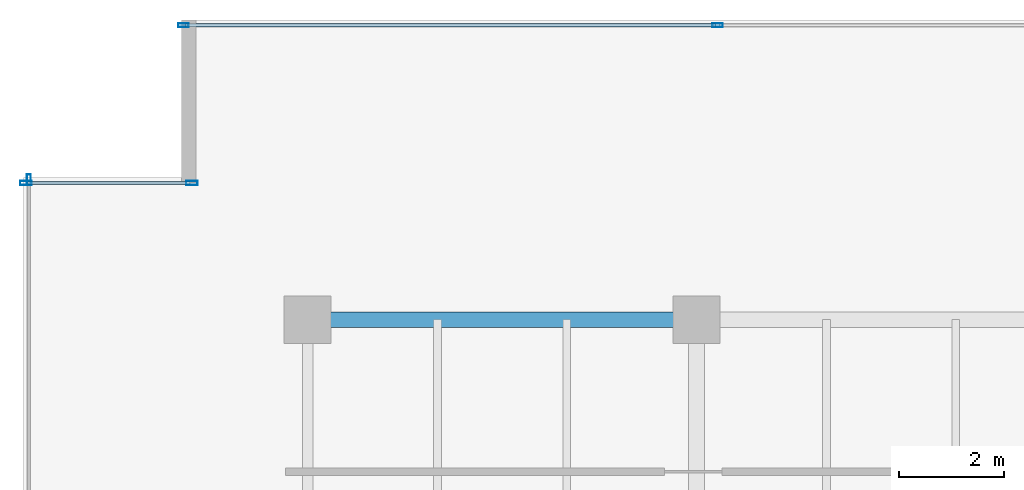
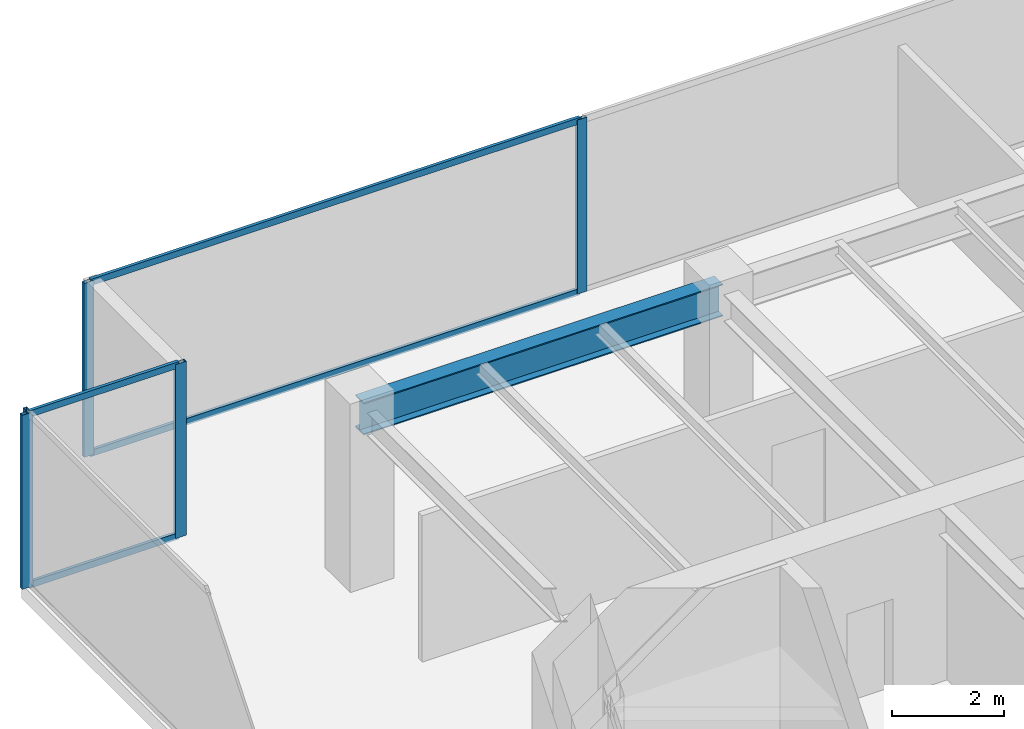
# One storey, part 14 of 30: 9 members, 1 beam, 3 elements without a shape of their own.
"""IFC4 building model written with IfcOpenShell, lengths in metres."""

from ifc_helpers import new_model, si_unit, direction, frame, origin, origin_2d, place, context, subcontext, project, spatial, hollow_rectangle, i_section, extrude, source, transform, mapped, material, layer, layer_set, material_profile, profile_set, type_object, type_shapes, element, aggregate, save


model = new_model("IFC4")

# Units and contexts
model_context = context("Model", 3, precision=1e-05, world=origin(), true_north=direction((0.0, 1.0)))
body_context = subcontext(model_context, "Body", "Model", "MODEL_VIEW")
ifc_project = project(units=[si_unit("LENGTHUNIT", "METRE"), si_unit("AREAUNIT", "SQUARE_METRE"), si_unit("VOLUMEUNIT", "CUBIC_METRE"), si_unit("PLANEANGLEUNIT", "RADIAN"), si_unit("MASSUNIT", "GRAM", prefix="KILO")], contexts=[model_context])

# Site, building, storey
site_placement = place(None, origin())
site = spatial("IfcSite", under=ifc_project, at=site_placement, CompositionType="ELEMENT")
building_placement = place(site_placement, origin())
building = spatial("IfcBuilding", under=site, at=building_placement, Name="Haelvirn Gate Laboratories", CompositionType="ELEMENT")
storey_placement = place(building_placement, frame((0.0, 0.0, 183.0)))
storey = spatial("IfcBuildingStorey", under=building, at=storey_placement, Name="L44", CompositionType="ELEMENT", Elevation=183.0)

# Beam
ifc_material_1 = material(Name="Steel SM355", Category="steel")
ifc_material_profile_1 = material_profile(ifc_material_1, i_section(OverallWidth=0.300048828125, OverallDepth=0.699951171875, WebThickness=0.012939453125, FlangeThickness=0.02392578125, at=origin_2d()), Name="H-700x300x13x24")
ifc_profile_set_1 = profile_set([ifc_material_profile_1], Name="Steel SM355")
beam_type = type_object("IfcBeamType", Name="BM-G-700", PredefinedType="BEAM", material=ifc_profile_set_1)
shared_shape_1 = source(origin(), body_context, "Body", "SweptSolid", [
    extrude(i_section(OverallWidth=0.300048828125, OverallDepth=0.699951171875, WebThickness=0.012939453125, FlangeThickness=0.02392578125, at=origin_2d()), origin(), (0.0, 0.0, 1.0), 7.400146484375),
])
type_shapes(beam_type, [shared_shape_1])
beam_placement = place(storey_placement, frame((7.39990234375, 41.60009765625, 3.43994140625), z_axis=(1.0, 0.0, 0.0), x_axis=(0.0, 1.0, 0.0)))
element("IfcBeam", 1, at=beam_placement, inside=storey, type_object=beam_type, Name="L44 Primary Girder Y41.6 (7.4-14.8)", PredefinedType="BEAM", context=body_context, shape_type="MappedRepresentation", body=[
    mapped(shared_shape_1, transform((0.0, 0.0, 0.0), scale=1.0)),
])

# Curtain wall, members
ifc_material_2 = material(Name="Anodised bronze unitised aluminium & triple low-E glass", Category="aluminium")
ifc_layer_1 = layer(ifc_material_2, 0.179931640625, Name="CW-SYS-3")
ifc_layer_set_1 = layer_set([ifc_layer_1], Name="Anodised bronze unitised aluminium & triple low-E glass")
curtain_wall_type_1 = type_object("IfcCurtainWallType", Name="CW-SYS-3", PredefinedType="NOTDEFINED", material=ifc_layer_set_1)
curtain_wall_1_placement = place(storey_placement, origin())
curtain_wall_1 = element("IfcCurtainWall", 2, at=curtain_wall_1_placement, inside=storey, type_object=curtain_wall_type_1, Name="L44 Unitised Curtain Wall CW-L44-P0-E14-1", PredefinedType="NOTDEFINED")
ifc_material_3 = material(Name="Extruded aluminium 6063-T6 (anodised bronze)", Category="aluminium")
ifc_material_profile_2 = material_profile(ifc_material_3, hollow_rectangle(XDim=0.06494140625, YDim=0.139892578125, WallThickness=0.00390625, at=origin_2d()), Name="CWT-140x65x4")
ifc_profile_set_2 = profile_set([ifc_material_profile_2], Name="Extruded aluminium 6063-T6 (anodised bronze)")
member_type_1 = type_object("IfcMemberType", Name="CWT-T140", PredefinedType="USERDEFINED", material=ifc_profile_set_2)
shared_shape_2 = source(origin(), body_context, "Body", "SweptSolid", [
    extrude(hollow_rectangle(XDim=0.06494140625, YDim=0.139892578125, WallThickness=0.00390625, at=origin_2d()), origin(), (0.0, 0.0, 1.0), 10.087646484375),
])
member_1_placement = place(storey_placement, frame((5.074951171875, 47.199951171875, 0.032470703125), z_axis=(1.0, 0.0, 0.0), x_axis=(0.0, 1.0, 0.0)))
member_1 = element("IfcMember", 3, at=member_1_placement, type_object=member_type_1, Name="CW3 transom 1.1", ObjectType="TRANSOM", PredefinedType="USERDEFINED", context=body_context, shape_type="MappedRepresentation", body=[
    mapped(shared_shape_2, transform((0.0, 0.0, 0.0), scale=1.0)),
])
member_2_placement = place(storey_placement, frame((5.074951171875, 47.199951171875, 3.757568359375), z_axis=(1.0, 0.0, 0.0), x_axis=(0.0, 1.0, 0.0)))
member_2 = element("IfcMember", 4, at=member_2_placement, type_object=member_type_1, Name="CW3 transom 1.2", ObjectType="TRANSOM", PredefinedType="USERDEFINED", context=body_context, shape_type="MappedRepresentation", body=[
    mapped(shared_shape_2, transform((0.0, 0.0, 0.0), scale=1.0)),
])

ifc_layer_2 = layer(ifc_material_2, 0.181884765625, Name="CW-SYS-5")
ifc_layer_set_2 = layer_set([ifc_layer_2], Name="Anodised bronze unitised aluminium & triple low-E glass")
curtain_wall_type_2 = type_object("IfcCurtainWallType", Name="CW-SYS-5", PredefinedType="NOTDEFINED", material=ifc_layer_set_2)
curtain_wall_2_placement = place(storey_placement, origin())
curtain_wall_2 = element("IfcCurtainWall", 5, at=curtain_wall_2_placement, inside=storey, type_object=curtain_wall_type_2, Name="L44 Unitised Curtain Wall CW-L44-P0-E16-1", PredefinedType="NOTDEFINED")
shared_shape_3 = source(origin(), body_context, "Body", "SweptSolid", [
    extrude(hollow_rectangle(XDim=0.06494140625, YDim=0.139892578125, WallThickness=0.00390625, at=origin_2d()), origin(), (0.0, 0.0, 1.0), 3.079833984375),
])
type_shapes(member_type_1, [shared_shape_2, shared_shape_3])
member_3_placement = place(storey_placement, frame((2.080078125, 44.199951171875, 0.032470703125), z_axis=(1.0, 0.0, 0.0), x_axis=(0.0, 1.0, 0.0)))
member_3 = element("IfcMember", 6, at=member_3_placement, type_object=member_type_1, Name="CW5 transom 1.1", ObjectType="TRANSOM", PredefinedType="USERDEFINED", context=body_context, shape_type="MappedRepresentation", body=[
    mapped(shared_shape_3, transform((0.0, 0.0, 0.0), scale=1.0)),
])
member_4_placement = place(storey_placement, frame((2.080078125, 44.199951171875, 3.757568359375), z_axis=(1.0, 0.0, 0.0), x_axis=(0.0, 1.0, 0.0)))
member_4 = element("IfcMember", 7, at=member_4_placement, type_object=member_type_1, Name="CW5 transom 1.2", ObjectType="TRANSOM", PredefinedType="USERDEFINED", context=body_context, shape_type="MappedRepresentation", body=[
    mapped(shared_shape_3, transform((0.0, 0.0, 0.0), scale=1.0)),
])

# Member
ifc_material_profile_3 = material_profile(ifc_material_3, hollow_rectangle(XDim=0.074951171875, YDim=0.199951171875, WallThickness=0.0048828125, at=origin_2d()), Name="CWM-200x75x5")
ifc_profile_set_3 = profile_set([ifc_material_profile_3], Name="Extruded aluminium 6063-T6 (anodised bronze)")
member_type_2 = type_object("IfcMemberType", Name="CWM-T200", PredefinedType="MULLION", material=ifc_profile_set_3)
shared_shape_4 = source(origin(), body_context, "Body", "SweptSolid", [
    extrude(hollow_rectangle(XDim=0.074951171875, YDim=0.199951171875, WallThickness=0.0048828125, at=origin_2d()), origin(), (0.0, 0.0, 1.0), 3.7900390625),
])
type_shapes(member_type_2, [shared_shape_4])
member_5_placement = place(storey_placement, frame((5.03759765625, 47.199951171875, 0.0), z_axis=(0.0, 0.0, 1.0), x_axis=(0.0, 1.0, 0.0)))
member_5 = element("IfcMember", 8, at=member_5_placement, type_object=member_type_2, Name="CW3 mullion 1", PredefinedType="MULLION", context=body_context, shape_type="MappedRepresentation", body=[
    mapped(shared_shape_4, transform((0.0, 0.0, 0.0), scale=1.0)),
])

member_6_placement = place(storey_placement, frame((15.199951171875, 47.199951171875, 0.0), z_axis=(0.0, 0.0, 1.0), x_axis=(0.0, 1.0, 0.0)))
member_6 = element("IfcMember", 9, at=member_6_placement, type_object=member_type_2, Name="CW3 mullion 2", PredefinedType="MULLION", context=body_context, shape_type="MappedRepresentation", body=[
    mapped(shared_shape_4, transform((0.0, 0.0, 0.0), scale=1.0)),
])

aggregate(curtain_wall_1, [member_5, member_6, member_1, member_2])

# Curtain wall, member
curtain_wall_3_placement = place(storey_placement, origin())
curtain_wall_3 = element("IfcCurtainWall", 10, at=curtain_wall_3_placement, inside=storey, type_object=curtain_wall_type_1, Name="L44 Unitised Curtain Wall CW-L44-P0-E17", PredefinedType="NOTDEFINED")
member_7_placement = place(storey_placement, frame((2.10009765625, 44.262451171875, 0.0), z_axis=(0.0, 0.0, 1.0), x_axis=(1.0, 0.0, 0.0)))
member_7 = element("IfcMember", 11, at=member_7_placement, type_object=member_type_2, Name="CW3 mullion 1", PredefinedType="MULLION", context=body_context, shape_type="MappedRepresentation", body=[
    mapped(shared_shape_4, transform((0.0, 0.0, 0.0), scale=1.0)),
])
aggregate(curtain_wall_3, [member_7])

# Member
ifc_material_profile_4 = material_profile(ifc_material_3, hollow_rectangle(XDim=0.080078125, YDim=0.219970703125, WallThickness=0.006103515625, at=origin_2d()), Name="CWM-220x80x6")
ifc_profile_set_4 = profile_set([ifc_material_profile_4], Name="Extruded aluminium 6063-T6 (anodised bronze)")
member_type_3 = type_object("IfcMemberType", Name="CWM-T220", PredefinedType="MULLION", material=ifc_profile_set_4)
shared_shape_5 = source(origin(), body_context, "Body", "SweptSolid", [
    extrude(hollow_rectangle(XDim=0.080078125, YDim=0.219970703125, WallThickness=0.006103515625, at=origin_2d()), origin(), (0.0, 0.0, 1.0), 3.7900390625),
])
type_shapes(member_type_3, [shared_shape_5])
member_8_placement = place(storey_placement, frame((2.0400390625, 44.199951171875, 0.0), z_axis=(0.0, 0.0, 1.0), x_axis=(0.0, 1.0, 0.0)))
member_8 = element("IfcMember", 12, at=member_8_placement, type_object=member_type_3, Name="CW5 mullion 1", PredefinedType="MULLION", context=body_context, shape_type="MappedRepresentation", body=[
    mapped(shared_shape_5, transform((0.0, 0.0, 0.0), scale=1.0)),
])

member_9_placement = place(storey_placement, frame((5.199951171875, 44.199951171875, 0.0), z_axis=(0.0, 0.0, 1.0), x_axis=(0.0, 1.0, 0.0)))
member_9 = element("IfcMember", 13, at=member_9_placement, type_object=member_type_3, Name="CW5 mullion 2", PredefinedType="MULLION", context=body_context, shape_type="MappedRepresentation", body=[
    mapped(shared_shape_5, transform((0.0, 0.0, 0.0), scale=1.0)),
])

aggregate(curtain_wall_2, [member_8, member_9, member_3, member_4])

save(model, "model.ifc")
